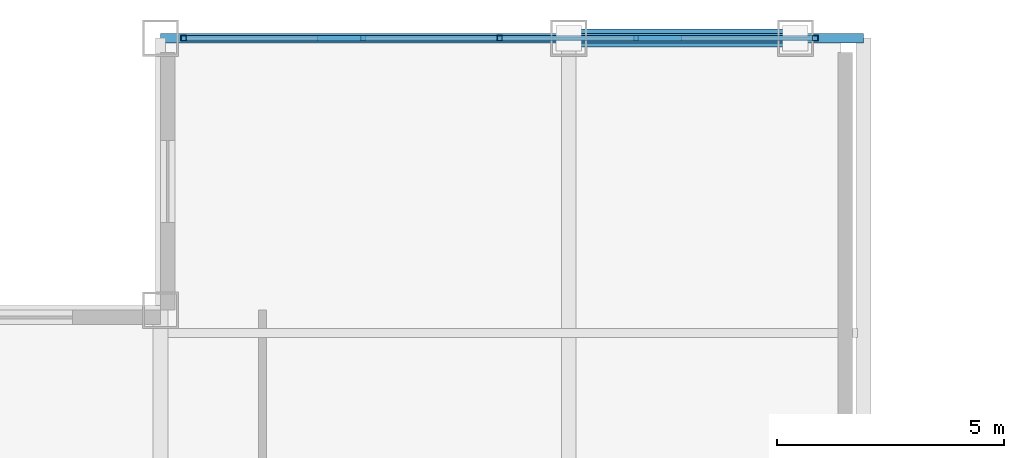
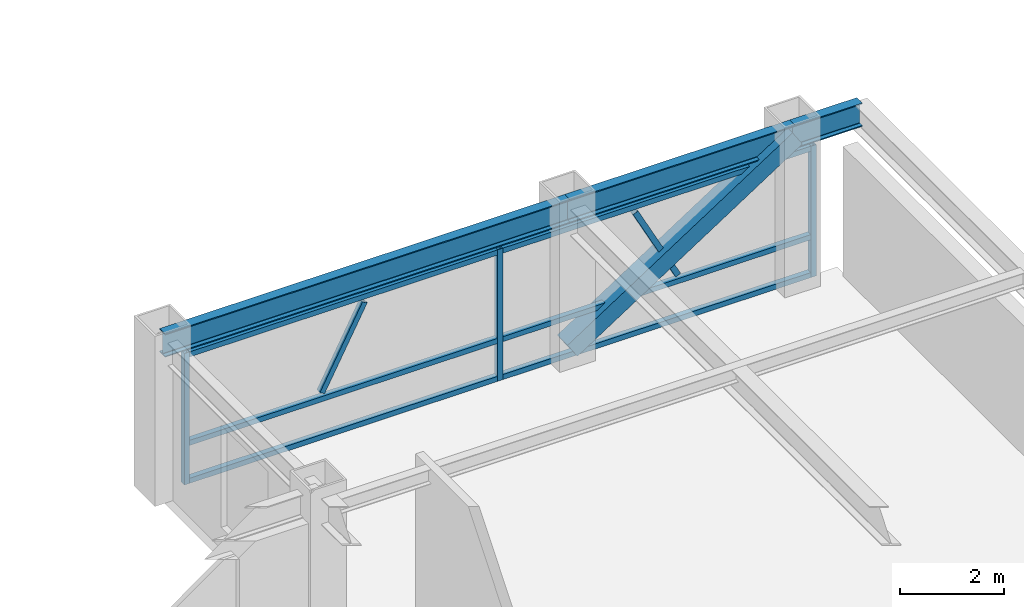
# One storey, part 19 of 29: 12 members, 3 beams, 1 element without a shape of its own.
"""IFC4 building model written with IfcOpenShell, lengths in metres."""

from ifc_helpers import new_model, si_unit, direction, frame, origin, origin_2d, place, context, subcontext, project, spatial, hollow_rectangle, i_section, extrude, source, transform, mapped, material, material_profile, profile_set, type_object, element, aggregate, save


model = new_model("IFC4")

# Units and contexts
model_context = context("Model", 3, precision=1e-05, world=origin(), true_north=direction((0.0, 1.0)))
body_context = subcontext(model_context, "Body", "Model", "MODEL_VIEW")
ifc_project = project(units=[si_unit("LENGTHUNIT", "METRE"), si_unit("AREAUNIT", "SQUARE_METRE"), si_unit("VOLUMEUNIT", "CUBIC_METRE"), si_unit("PLANEANGLEUNIT", "RADIAN"), si_unit("MASSUNIT", "GRAM", prefix="KILO")], contexts=[model_context])

# Site, building, storey
site_placement = place(None, origin())
site = spatial("IfcSite", under=ifc_project, at=site_placement, CompositionType="ELEMENT")
building_placement = place(site_placement, origin())
building = spatial("IfcBuilding", under=site, at=building_placement, Name="Khorayat Bourse Tower", CompositionType="ELEMENT")
storey_placement = place(building_placement, frame((0.0, 0.0, 350.300048828125)))
storey = spatial("IfcBuildingStorey", under=building, at=storey_placement, Name="L83", CompositionType="ELEMENT", Elevation=350.300048828125)

# Beams
ifc_material_1 = material(Name="Steel ASTM A992 Grade 50", Category="steel")
ifc_material_profile_1 = material_profile(ifc_material_1, i_section(OverallWidth=0.214111328125, OverallDepth=0.549072265625, WebThickness=0.0146484375, FlangeThickness=0.023681640625, FilletRadius=0.013916015625, at=origin_2d()), Name="W530X138")
ifc_profile_set_1 = profile_set([ifc_material_profile_1], Name="Steel ASTM A992 Grade 50")
beam_type = type_object("IfcBeamType", Name="BM-SPAN-530", PredefinedType="SPANDREL", material=ifc_profile_set_1)
shared_shape_1 = source(origin(), body_context, "Body", "SweptSolid", [
    extrude(i_section(OverallWidth=0.214111328125, OverallDepth=0.549072265625, WebThickness=0.0146484375, FlangeThickness=0.023681640625, FilletRadius=0.013916015625, at=origin_2d()), origin(), (0.0, 0.0, 1.0), 9.0),
])
beam_1_placement = place(storey_placement, frame((-20.0, 26.0, 3.46533203125), z_axis=(1.0, 0.0, 0.0), x_axis=(0.0, 1.0, 0.0)))
element("IfcBeam", 1, at=beam_1_placement, inside=storey, type_object=beam_type, Name="L83 BM-SPAN-530 BM-L83-SPN-042", PredefinedType="SPANDREL", context=body_context, shape_type="MappedRepresentation", body=[
    mapped(shared_shape_1, transform((0.0, 0.0, 0.0), scale=1.0)),
])
shared_shape_2 = source(origin(), body_context, "Body", "SweptSolid", [
    extrude(i_section(OverallWidth=0.214111328125, OverallDepth=0.549072265625, WebThickness=0.0146484375, FlangeThickness=0.023681640625, FilletRadius=0.013916015625, at=origin_2d()), origin(), (0.0, 0.0, 1.0), 5.0),
])
beam_2_placement = place(storey_placement, frame((-11.0, 26.0, 3.46533203125), z_axis=(1.0, 0.0, 0.0), x_axis=(0.0, 1.0, 0.0)))
element("IfcBeam", 2, at=beam_2_placement, inside=storey, type_object=beam_type, Name="L83 BM-SPAN-530 BM-L83-SPN-041", PredefinedType="SPANDREL", context=body_context, shape_type="MappedRepresentation", body=[
    mapped(shared_shape_2, transform((0.0, 0.0, 0.0), scale=1.0)),
])

# Member
ifc_material_2 = material(Name="Steel EN 10025-4 S460M", Category="steel")
ifc_material_profile_2 = material_profile(ifc_material_2, hollow_rectangle(XDim=0.39990234375, YDim=0.39990234375, WallThickness=0.02197265625, at=origin_2d()), Name="HSS 400x400x22")
ifc_profile_set_2 = profile_set([ifc_material_profile_2], Name="Steel EN 10025-4 S460M")
member_type_1 = type_object("IfcMemberType", Name="MBR-TUBE-400", PredefinedType="BRACE", material=ifc_profile_set_2)
shared_shape_3 = source(origin(), body_context, "Body", "SweptSolid", [
    extrude(hollow_rectangle(XDim=0.39990234375, YDim=0.39990234375, WallThickness=0.02197265625, at=origin_2d()), origin(), (0.0, 0.0, 1.0), 5.9580078125),
])
member_1_placement = place(storey_placement, frame((-11.0, 26.0, 0.25), z_axis=(0.839210474455, 0.0, 0.543806748364), x_axis=(0.0, 1.0, 0.0)))
element("IfcMember", 3, at=member_1_placement, inside=storey, type_object=member_type_1, Name="L83 Perimeter Tube Brace 03", PredefinedType="BRACE", context=body_context, shape_type="MappedRepresentation", body=[
    mapped(shared_shape_3, transform((0.0, 0.0, 0.0), scale=1.0)),
])

# Beam
shared_shape_4 = source(origin(), body_context, "Body", "SweptSolid", [
    extrude(i_section(OverallWidth=0.214111328125, OverallDepth=0.549072265625, WebThickness=0.0146484375, FlangeThickness=0.023681640625, FilletRadius=0.013916015625, at=origin_2d()), origin(), (0.0, 0.0, 1.0), 1.5),
])
beam_3_placement = place(storey_placement, frame((-6.0, 26.0, 3.46533203125), z_axis=(1.0, 0.0, 0.0), x_axis=(0.0, 1.0, 0.0)))
element("IfcBeam", 4, at=beam_3_placement, inside=storey, type_object=beam_type, Name="L83 BM-SPAN-530 BM-L83-SPN-040", PredefinedType="SPANDREL", context=body_context, shape_type="MappedRepresentation", body=[
    mapped(shared_shape_4, transform((0.0, 0.0, 0.0), scale=1.0)),
])

# Curtain wall, members
ifc_material_3 = material(Name="Aluminium EN AW-6063 T6", Category="aluminium")
curtain_wall_type = type_object("IfcCurtainWallType", Name="CW-SYS-06", PredefinedType="NOTDEFINED", material=ifc_material_3)
curtain_wall_placement = place(storey_placement, origin())
curtain_wall = element("IfcCurtainWall", 5, at=curtain_wall_placement, inside=storey, type_object=curtain_wall_type, Name="L83 Curtain Wall CW-L83-N1", PredefinedType="NOTDEFINED")
ifc_material_profile_3 = material_profile(ifc_material_3, hollow_rectangle(XDim=0.1201171875, YDim=0.1201171875, WallThickness=0.0048828125, at=origin_2d()), Name="ALU 120x120x5")
ifc_profile_set_3 = profile_set([ifc_material_profile_3], Name="Aluminium EN AW-6063 T6")
member_type_2 = type_object("IfcMemberType", Name="CWM-VERT-120", PredefinedType="MULLION", material=ifc_profile_set_3)
shared_shape_5 = source(origin(), body_context, "Body", "SweptSolid", [
    extrude(hollow_rectangle(XDim=0.1201171875, YDim=0.1201171875, WallThickness=0.0048828125, at=origin_2d()), origin(), (0.0, 0.0, 1.0), 3.08984375),
])
member_2_placement = place(storey_placement, frame((-5.56005859375, 26.0, 0.0), z_axis=(0.0, 0.0, 1.0), x_axis=(0.0, -1.0, 0.0)))
member_2 = element("IfcMember", 6, at=member_2_placement, type_object=member_type_2, Name="CW-L83-N1 Vertical Mullion 1", PredefinedType="MULLION", context=body_context, shape_type="MappedRepresentation", body=[
    mapped(shared_shape_5, transform((0.0, 0.0, 0.0), scale=1.0)),
])
member_3_placement = place(storey_placement, frame((-12.52490234375, 26.0, 0.0), z_axis=(0.0, 0.0, 1.0), x_axis=(0.0, -1.0, 0.0)))
member_3 = element("IfcMember", 7, at=member_3_placement, type_object=member_type_2, Name="CW-L83-N1 Vertical Mullion 2", PredefinedType="MULLION", context=body_context, shape_type="MappedRepresentation", body=[
    mapped(shared_shape_5, transform((0.0, 0.0, 0.0), scale=1.0)),
])
member_4_placement = place(storey_placement, frame((-19.489990234375, 26.0, 0.0), z_axis=(0.0, 0.0, 1.0), x_axis=(0.0, -1.0, 0.0)))
member_4 = element("IfcMember", 8, at=member_4_placement, type_object=member_type_2, Name="CW-L83-N1 Vertical Mullion 3", PredefinedType="MULLION", context=body_context, shape_type="MappedRepresentation", body=[
    mapped(shared_shape_5, transform((0.0, 0.0, 0.0), scale=1.0)),
])
ifc_material_profile_4 = material_profile(ifc_material_3, hollow_rectangle(XDim=0.1201171875, YDim=0.1201171875, WallThickness=0.0048828125, at=origin_2d()), Name="ALU 120x120x5")
ifc_profile_set_4 = profile_set([ifc_material_profile_4], Name="Aluminium EN AW-6063 T6")
member_type_3 = type_object("IfcMemberType", Name="CWM-DIAG-120", PredefinedType="MULLION", material=ifc_profile_set_4)
shared_shape_6 = source(origin(), body_context, "Body", "SweptSolid", [
    extrude(hollow_rectangle(XDim=0.1201171875, YDim=0.1201171875, WallThickness=0.0048828125, at=origin_2d()), origin(), (0.0, 0.0, 1.0), 2.0341796875),
])
member_5_placement = place(storey_placement, frame((-8.56884765625, 26.0, 1.08984375), z_axis=(-0.465696964104, 0.0, 0.884944256789), x_axis=(0.0, -1.0, 0.0)))
member_5 = element("IfcMember", 9, at=member_5_placement, type_object=member_type_3, Name="CW-L83-N1 Faceted Diagonal Mullion 1", PredefinedType="MULLION", context=body_context, shape_type="MappedRepresentation", body=[
    mapped(shared_shape_6, transform((0.0, 0.0, 0.0), scale=1.0)),
])
member_6_placement = place(storey_placement, frame((-16.481201171875, 26.0, 1.08984375), z_axis=(0.465696964104, 0.0, 0.884944256789), x_axis=(0.0, 1.0, 0.0)))
member_6 = element("IfcMember", 10, at=member_6_placement, type_object=member_type_3, Name="CW-L83-N1 Faceted Diagonal Mullion 2", PredefinedType="MULLION", context=body_context, shape_type="MappedRepresentation", body=[
    mapped(shared_shape_6, transform((0.0, 0.0, 0.0), scale=1.0)),
])
ifc_material_profile_5 = material_profile(ifc_material_3, hollow_rectangle(XDim=0.1201171875, YDim=0.1201171875, WallThickness=0.0048828125, at=origin_2d()), Name="ALU 120x120x5")
ifc_profile_set_5 = profile_set([ifc_material_profile_5], Name="Aluminium EN AW-6063 T6")
member_type_4 = type_object("IfcMemberType", Name="CWT-HORZ-120", PredefinedType="USERDEFINED", material=ifc_profile_set_5)
shared_shape_7 = source(origin(), body_context, "Body", "SweptSolid", [
    extrude(hollow_rectangle(XDim=0.1201171875, YDim=0.1201171875, WallThickness=0.0048828125, at=origin_2d()), origin(), (0.0, 0.0, 1.0), 6.844970703125),
])
member_7_placement = place(storey_placement, frame((-5.6201171875, 26.0, 0.06005859375), z_axis=(-1.0, 0.0, 0.0), x_axis=(0.0, -1.0, 0.0)))
member_7 = element("IfcMember", 11, at=member_7_placement, type_object=member_type_4, Name="CW-L83-N1 Horizontal Transom 1-1", ObjectType="TRANSOM", PredefinedType="USERDEFINED", context=body_context, shape_type="MappedRepresentation", body=[
    mapped(shared_shape_7, transform((0.0, 0.0, 0.0), scale=1.0)),
])
member_8_placement = place(storey_placement, frame((-5.6201171875, 26.0, 0.949951171875), z_axis=(-1.0, 0.0, 0.0), x_axis=(0.0, -1.0, 0.0)))
member_8 = element("IfcMember", 12, at=member_8_placement, type_object=member_type_4, Name="CW-L83-N1 Horizontal Transom 1-2", ObjectType="TRANSOM", PredefinedType="USERDEFINED", context=body_context, shape_type="MappedRepresentation", body=[
    mapped(shared_shape_7, transform((0.0, 0.0, 0.0), scale=1.0)),
])
member_9_placement = place(storey_placement, frame((-5.6201171875, 26.0, 3.030029296875), z_axis=(-1.0, 0.0, 0.0), x_axis=(0.0, -1.0, 0.0)))
member_9 = element("IfcMember", 13, at=member_9_placement, type_object=member_type_4, Name="CW-L83-N1 Horizontal Transom 1-3", ObjectType="TRANSOM", PredefinedType="USERDEFINED", context=body_context, shape_type="MappedRepresentation", body=[
    mapped(shared_shape_7, transform((0.0, 0.0, 0.0), scale=1.0)),
])
member_10_placement = place(storey_placement, frame((-12.5849609375, 26.0, 0.06005859375), z_axis=(-1.0, 0.0, 0.0), x_axis=(0.0, -1.0, 0.0)))
member_10 = element("IfcMember", 14, at=member_10_placement, type_object=member_type_4, Name="CW-L83-N1 Horizontal Transom 2-1", ObjectType="TRANSOM", PredefinedType="USERDEFINED", context=body_context, shape_type="MappedRepresentation", body=[
    mapped(shared_shape_7, transform((0.0, 0.0, 0.0), scale=1.0)),
])
member_11_placement = place(storey_placement, frame((-12.5849609375, 26.0, 0.949951171875), z_axis=(-1.0, 0.0, 0.0), x_axis=(0.0, -1.0, 0.0)))
member_11 = element("IfcMember", 15, at=member_11_placement, type_object=member_type_4, Name="CW-L83-N1 Horizontal Transom 2-2", ObjectType="TRANSOM", PredefinedType="USERDEFINED", context=body_context, shape_type="MappedRepresentation", body=[
    mapped(shared_shape_7, transform((0.0, 0.0, 0.0), scale=1.0)),
])
member_12_placement = place(storey_placement, frame((-12.5849609375, 26.0, 3.030029296875), z_axis=(-1.0, 0.0, 0.0), x_axis=(0.0, -1.0, 0.0)))
member_12 = element("IfcMember", 16, at=member_12_placement, type_object=member_type_4, Name="CW-L83-N1 Horizontal Transom 2-3", ObjectType="TRANSOM", PredefinedType="USERDEFINED", context=body_context, shape_type="MappedRepresentation", body=[
    mapped(shared_shape_7, transform((0.0, 0.0, 0.0), scale=1.0)),
])
aggregate(curtain_wall, [member_2, member_3, member_4, member_7, member_8, member_9, member_5, member_10, member_11, member_12, member_6])

save(model, "model.ifc")
